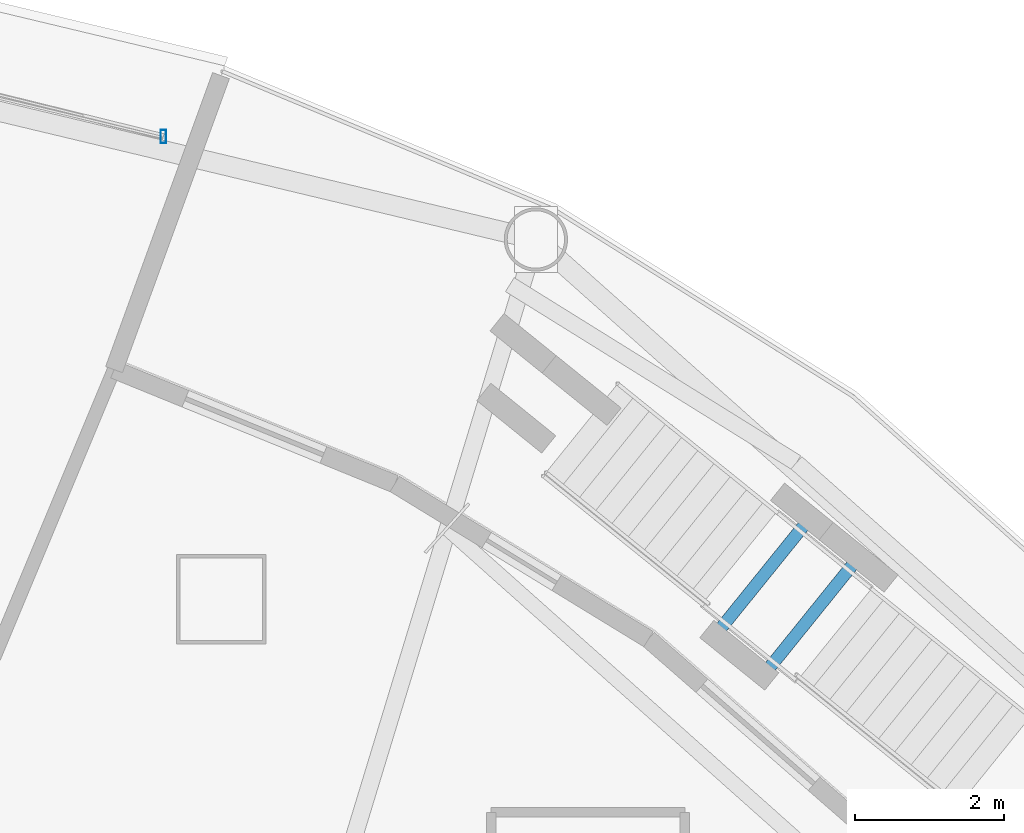
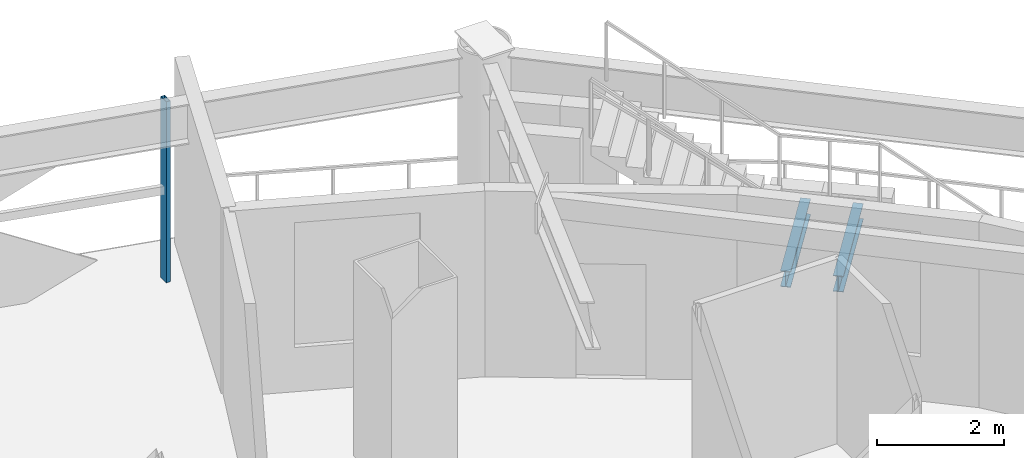
# One storey, part 19 of 33: 2 beams, 1 member, 1 element without a shape of its own.
"""IFC4 building model written with IfcOpenShell, lengths in metres."""

from ifc_helpers import new_model, si_unit, direction, frame, origin, origin_2d, place, context, subcontext, project, spatial, hollow_rectangle, i_section, extrude, material, layer, layer_set, material_profile, profile_set, type_object, element, aggregate, save


model = new_model("IFC4")

# Units and contexts
model_context = context("Model", 3, precision=1e-05, world=origin(), true_north=direction((0.0, 1.0)))
body_context = subcontext(model_context, "Body", "Model", "MODEL_VIEW")
ifc_project = project(units=[si_unit("LENGTHUNIT", "METRE"), si_unit("AREAUNIT", "SQUARE_METRE"), si_unit("VOLUMEUNIT", "CUBIC_METRE"), si_unit("PLANEANGLEUNIT", "RADIAN"), si_unit("MASSUNIT", "GRAM", prefix="KILO")], contexts=[model_context])

# Site, building, storey
site_placement = place(None, origin())
site = spatial("IfcSite", under=ifc_project, at=site_placement, CompositionType="ELEMENT")
building_placement = place(site_placement, origin())
building = spatial("IfcBuilding", under=site, at=building_placement, Name="Vantalir Tower", CompositionType="ELEMENT")
storey_placement = place(building_placement, frame((0.0, 0.0, 68.25)))
storey = spatial("IfcBuildingStorey", under=building, at=storey_placement, Name="L16", CompositionType="ELEMENT", Elevation=68.25)

# Beams
ifc_material_1 = material(Name="Steel S355", Category="steel")
ifc_material_profile_1 = material_profile(ifc_material_1, i_section(OverallWidth=0.166015625, OverallDepth=0.306884765625, WebThickness=0.006591796875, FlangeThickness=0.01171875, at=origin_2d()), Name="Steel S355")
ifc_profile_set_1 = profile_set([ifc_material_profile_1], Name="Steel S355")
beam_type = type_object("IfcBeamType", Name="BM-JS-305x165", PredefinedType="JOIST", material=ifc_profile_set_1)
beam_1_placement = place(storey_placement, frame((49.657958984375, 42.06201171875, 1.52197265625), z_axis=(-0.628180290864, -0.778067813349, 0.0), x_axis=(0.778067813349, -0.628180290864, 0.0)))
element("IfcBeam", 1, at=beam_1_placement, inside=storey, type_object=beam_type, Name="L16 Sky Garden Stair SG1 Mid-Landing Bearer 1", PredefinedType="JOIST", context=body_context, shape_type="SweptSolid", body=[
    extrude(i_section(OverallWidth=0.166015625, OverallDepth=0.306884765625, WebThickness=0.006591796875, FlangeThickness=0.01171875, at=origin_2d()), origin(), (0.0, 0.0, 1.0), 2.029541015625),
])
beam_2_placement = place(storey_placement, frame((49.0048828125, 42.590087890625, 1.52197265625), z_axis=(-0.628471460058, -0.77783264517, 0.0), x_axis=(0.77783264517, -0.628471460058, 0.0)))
element("IfcBeam", 2, at=beam_2_placement, inside=storey, type_object=beam_type, Name="L16 Sky Garden Stair SG1 Mid-Landing Bearer 2", PredefinedType="JOIST", context=body_context, shape_type="SweptSolid", body=[
    extrude(i_section(OverallWidth=0.166015625, OverallDepth=0.306884765625, WebThickness=0.006591796875, FlangeThickness=0.01171875, at=origin_2d()), origin(), (0.0, 0.0, 1.0), 2.030029296875),
])

# Curtain wall, member
ifc_material_2 = material(Name="Champagne-silver PVDF aluminium and double-silver Low-E glass", Category="aluminium")
ifc_layer = layer(ifc_material_2, 0.18994140625)
ifc_layer_set = layer_set([ifc_layer], Name="Champagne-silver PVDF aluminium and double-silver Low-E glass")
curtain_wall_type = type_object("IfcCurtainWallType", Name="CW-DIAMOND-Z1", PredefinedType="USERDEFINED", material=ifc_layer_set)
curtain_wall_placement = place(storey_placement, origin())
curtain_wall = element("IfcCurtainWall", 3, at=curtain_wall_placement, inside=storey, type_object=curtain_wall_type, Name="L16 Quilted Pyramid-Diamond Curtain Wall S03", ObjectType="UNITISED CURTAIN WALL", PredefinedType="USERDEFINED")
ifc_material_3 = material(Name="Champagne-silver PVDF aluminium 6063-T6", Category="aluminium")
ifc_material_profile_2 = material_profile(ifc_material_3, hollow_rectangle(XDim=0.074951171875, YDim=0.179931640625, WallThickness=0.00390625, at=origin_2d()), Name="Champagne-silver PVDF aluminium 6063-T6")
ifc_profile_set_2 = profile_set([ifc_material_profile_2], Name="Champagne-silver PVDF aluminium 6063-T6")
member_type = type_object("IfcMemberType", Name="CWM-180x75", PredefinedType="MULLION", material=ifc_profile_set_2)
member_placement = place(storey_placement, frame((40.322998046875, 47.7119140625, 0.044921875), z_axis=(0.0, 0.0, 1.0), x_axis=(1.0, 0.0, 0.0)))
member = element("IfcMember", 4, at=member_placement, type_object=member_type, Name="CW-L16-S03 Mullion 1", PredefinedType="MULLION", context=body_context, shape_type="SweptSolid", body=[
    extrude(hollow_rectangle(XDim=0.074951171875, YDim=0.179931640625, WallThickness=0.00390625, at=origin_2d()), origin(), (0.0, 0.0, 1.0), 3.47998046875),
])
aggregate(curtain_wall, [member])

save(model, "model.ifc")
